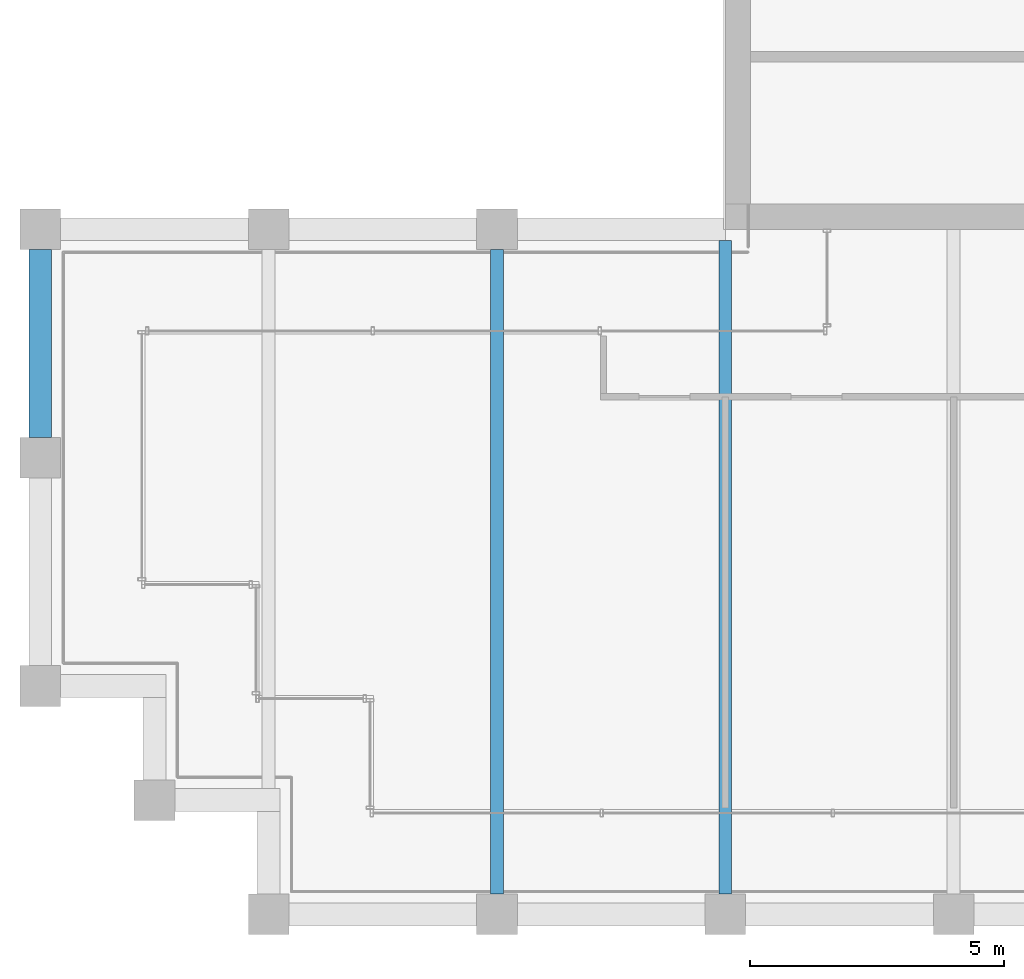
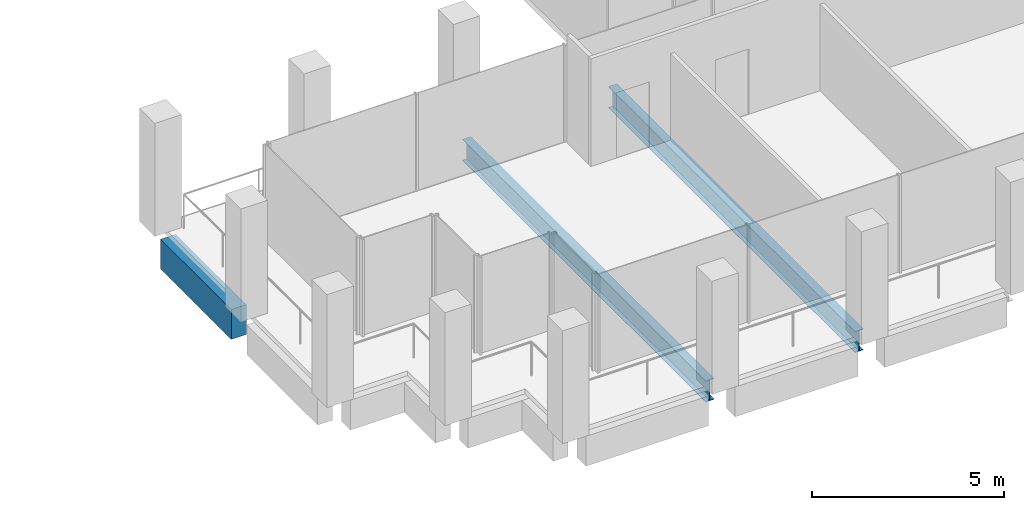
# One storey, part 4 of 30: 3 beams.
"""IFC4 building model written with IfcOpenShell, lengths in metres."""

from ifc_helpers import new_model, si_unit, direction, frame, origin, origin_2d, place, context, subcontext, project, spatial, rectangle, i_section, extrude, material, material_profile, profile_set, type_object, element, save


model = new_model("IFC4")

# Units and contexts
model_context = context("Model", 3, precision=1e-05, world=origin(), true_north=direction((0.0, 1.0)))
body_context = subcontext(model_context, "Body", "Model", "MODEL_VIEW")
ifc_project = project(units=[si_unit("LENGTHUNIT", "METRE"), si_unit("AREAUNIT", "SQUARE_METRE"), si_unit("VOLUMEUNIT", "CUBIC_METRE"), si_unit("PLANEANGLEUNIT", "RADIAN"), si_unit("MASSUNIT", "GRAM", prefix="KILO")], contexts=[model_context])

# Site, building, storey
site_placement = place(None, origin())
site = spatial("IfcSite", under=ifc_project, at=site_placement, CompositionType="ELEMENT")
building_placement = place(site_placement, origin())
building = spatial("IfcBuilding", under=site, at=building_placement, Name="Altepetl Exchange Towers", CompositionType="ELEMENT")
storey_placement = place(building_placement, frame((0.0, 0.0, 228.0)))
storey = spatial("IfcBuildingStorey", under=building, at=storey_placement, Name="L58", CompositionType="ELEMENT", Elevation=228.0)

# Beams
ifc_material_1 = material(Name="Steel S355", Category="steel")
ifc_material_profile_1 = material_profile(ifc_material_1, i_section(OverallWidth=0.2529296875, OverallDepth=0.677978515625, WebThickness=0.01171875, FlangeThickness=0.016357421875, at=origin_2d()), Name="W27X84")
ifc_profile_set_1 = profile_set([ifc_material_profile_1], Name="Steel S355")
beam_type_1 = type_object("IfcBeamType", Name="Floor beam W27X84", PredefinedType="BEAM", material=ifc_profile_set_1)
beam_1_placement = place(storey_placement, frame((36.0, 27.39990234375, -0.489013671875), z_axis=(0.0, 1.0, 0.0), x_axis=(-1.0, 0.0, 0.0)))
element("IfcBeam", 1, at=beam_1_placement, inside=storey, type_object=beam_type_1, Name="bm:A:L58:013", PredefinedType="BEAM", context=body_context, shape_type="SweptSolid", body=[
    extrude(i_section(OverallWidth=0.2529296875, OverallDepth=0.677978515625, WebThickness=0.01171875, FlangeThickness=0.016357421875, at=origin_2d()), origin(), (0.0, 0.0, 1.0), 12.7001953125),
])
beam_2_placement = place(storey_placement, frame((40.5, 27.39990234375, -0.489013671875), z_axis=(0.0, 1.0, 0.0), x_axis=(-1.0, 0.0, 0.0)))
element("IfcBeam", 2, at=beam_2_placement, inside=storey, type_object=beam_type_1, Name="bm:A:L58:014", PredefinedType="BEAM", context=body_context, shape_type="SweptSolid", body=[
    extrude(i_section(OverallWidth=0.2529296875, OverallDepth=0.677978515625, WebThickness=0.01171875, FlangeThickness=0.016357421875, at=origin_2d()), origin(), (0.0, 0.0, 1.0), 12.875),
])
ifc_material_2 = material(Name="Concrete C50/60 precast with cantera blanca facing", Category="concrete")
ifc_material_profile_2 = material_profile(ifc_material_2, rectangle(XDim=0.449951171875, YDim=0.949951171875, at=origin_2d()), Name="450 x 950")
ifc_profile_set_2 = profile_set([ifc_material_profile_2], Name="Concrete C50/60 precast with cantera blanca facing")
beam_type_2 = type_object("IfcBeamType", Name="Spandrel beam 450x950 cantera blanca", PredefinedType="SPANDREL", material=ifc_profile_set_2)
beam_3_placement = place(storey_placement, frame((27.0, 40.10009765625, -0.625), z_axis=(0.0, -1.0, 0.0), x_axis=(1.0, 0.0, 0.0)))
element("IfcBeam", 3, at=beam_3_placement, inside=storey, type_object=beam_type_2, Name="sp:A:L58:036", PredefinedType="SPANDREL", context=body_context, shape_type="SweptSolid", body=[
    extrude(rectangle(XDim=0.449951171875, YDim=0.949951171875, at=origin_2d()), origin(), (0.0, 0.0, 1.0), 3.7001953125),
])

save(model, "model.ifc")
